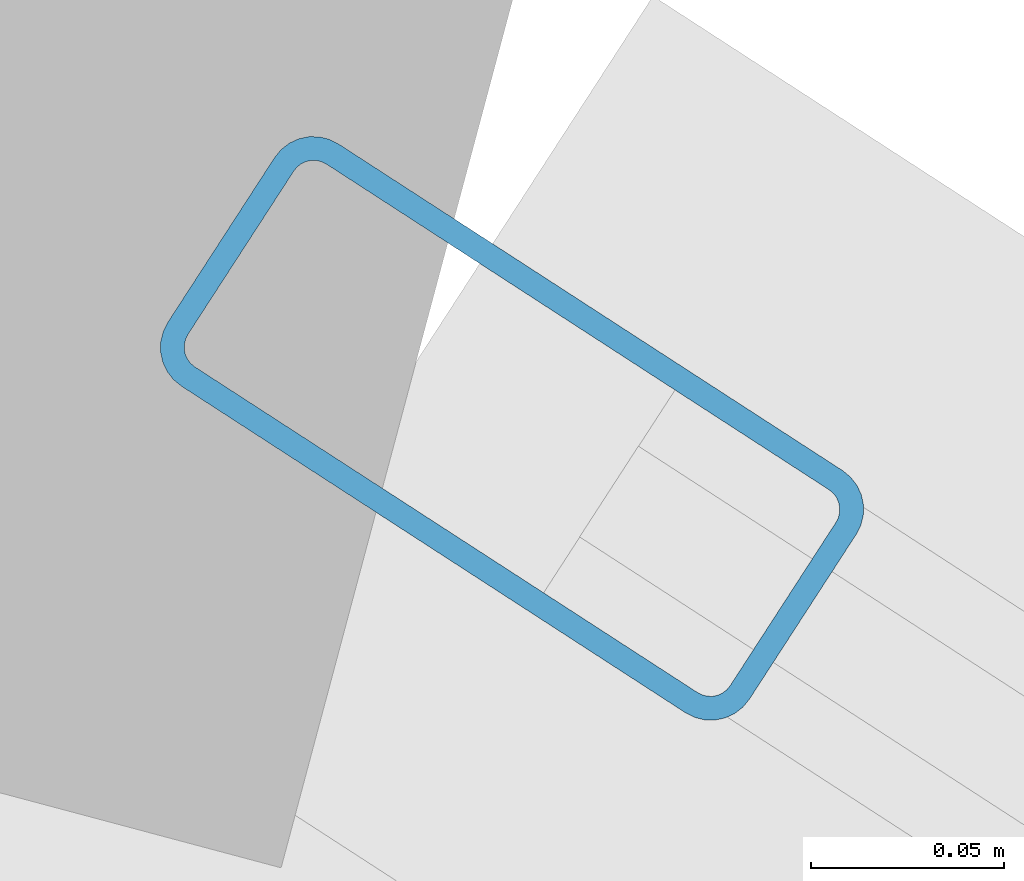
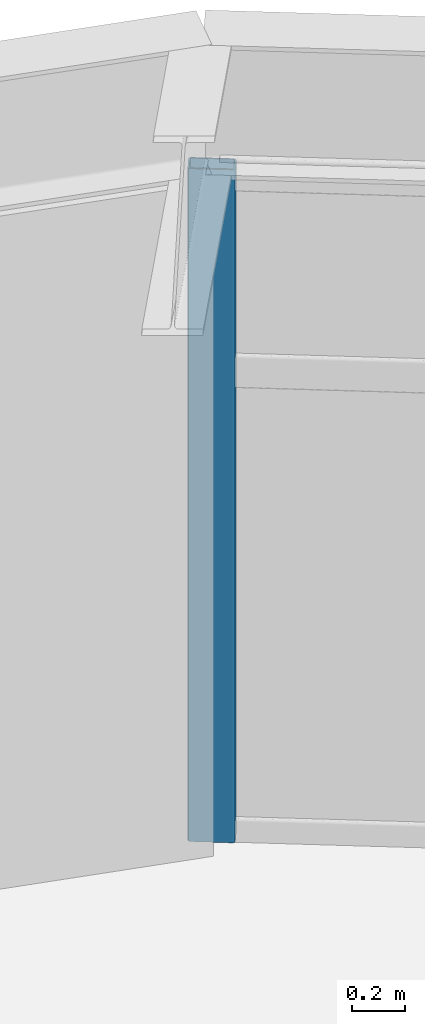
# One storey, part 14 of 23: 1 member, 1 element without a shape of its own.
"""IFC4 building model written with IfcOpenShell, lengths in metres."""

from ifc_helpers import new_model, si_unit, direction, frame, origin, origin_2d, place, context, subcontext, project, spatial, hollow_rectangle, extrude, material, layer, layer_set, material_profile, profile_set, type_object, element, aggregate, save


model = new_model("IFC4")

# Units and contexts
model_context = context("Model", 3, precision=1e-05, world=origin(), true_north=direction((0.0, 1.0)))
body_context = subcontext(model_context, "Body", "Model", "MODEL_VIEW")
ifc_project = project(units=[si_unit("LENGTHUNIT", "METRE"), si_unit("AREAUNIT", "SQUARE_METRE"), si_unit("VOLUMEUNIT", "CUBIC_METRE"), si_unit("PLANEANGLEUNIT", "RADIAN"), si_unit("MASSUNIT", "GRAM", prefix="KILO")], contexts=[model_context])

# Site, building, storey
site_placement = place(None, origin())
site = spatial("IfcSite", under=ifc_project, at=site_placement, CompositionType="ELEMENT")
building_placement = place(site_placement, origin())
building = spatial("IfcBuilding", under=site, at=building_placement, Name="Soratama Intermodal Tower", CompositionType="ELEMENT")
storey_placement = place(building_placement, frame((0.0, 0.0, 38.60009765625)))
storey = spatial("IfcBuildingStorey", under=building, at=storey_placement, Name="L08", CompositionType="ELEMENT", Elevation=38.60009765625)

# Curtain wall, member
ifc_material_1 = material(Name="Double-glazed aluminium curtain wall", Category="aluminium")
ifc_layer = layer(ifc_material_1, 0.159912109375)
ifc_layer_set = layer_set([ifc_layer], Name="Double-glazed aluminium curtain wall")
curtain_wall_type = type_object("IfcCurtainWallType", Name="CW-SYS-2", PredefinedType="NOTDEFINED", material=ifc_layer_set)
curtain_wall_placement = place(storey_placement, origin())
curtain_wall = element("IfcCurtainWall", 1, at=curtain_wall_placement, inside=storey, type_object=curtain_wall_type, Name="L08 Faceted Curtain Wall F02", PredefinedType="NOTDEFINED")
ifc_material_2 = material(Name="Anodised aluminium AA 6063-T6", Category="aluminium")
ifc_material_profile = material_profile(ifc_material_2, hollow_rectangle(XDim=0.074951171875, YDim=0.179931640625, WallThickness=0.006103515625, InnerFilletRadius=0.006103515625, OuterFilletRadius=0.011962890625, at=origin_2d()), Name="CWM180X75X6")
ifc_profile_set = profile_set([ifc_material_profile], Name="Anodised aluminium AA 6063-T6")
member_type = type_object("IfcMemberType", Name="MT-CWM-2", PredefinedType="MULLION", material=ifc_profile_set)
member_placement = place(storey_placement, frame((51.890625, 44.9599609375, 0.0), z_axis=(0.0, 0.0, 1.0), x_axis=(-0.543762502127, -0.839239144273, 0.0)))
member = element("IfcMember", 2, at=member_placement, type_object=member_type, Name="CW-2 mullion 3", PredefinedType="MULLION", context=body_context, shape_type="SweptSolid", body=[
    extrude(hollow_rectangle(XDim=0.074951171875, YDim=0.179931640625, WallThickness=0.006103515625, InnerFilletRadius=0.006103515625, OuterFilletRadius=0.011962890625, at=origin_2d()), origin(), (0.0, 0.0, 1.0), 3.078857421875),
])
aggregate(curtain_wall, [member])

save(model, "model.ifc")
